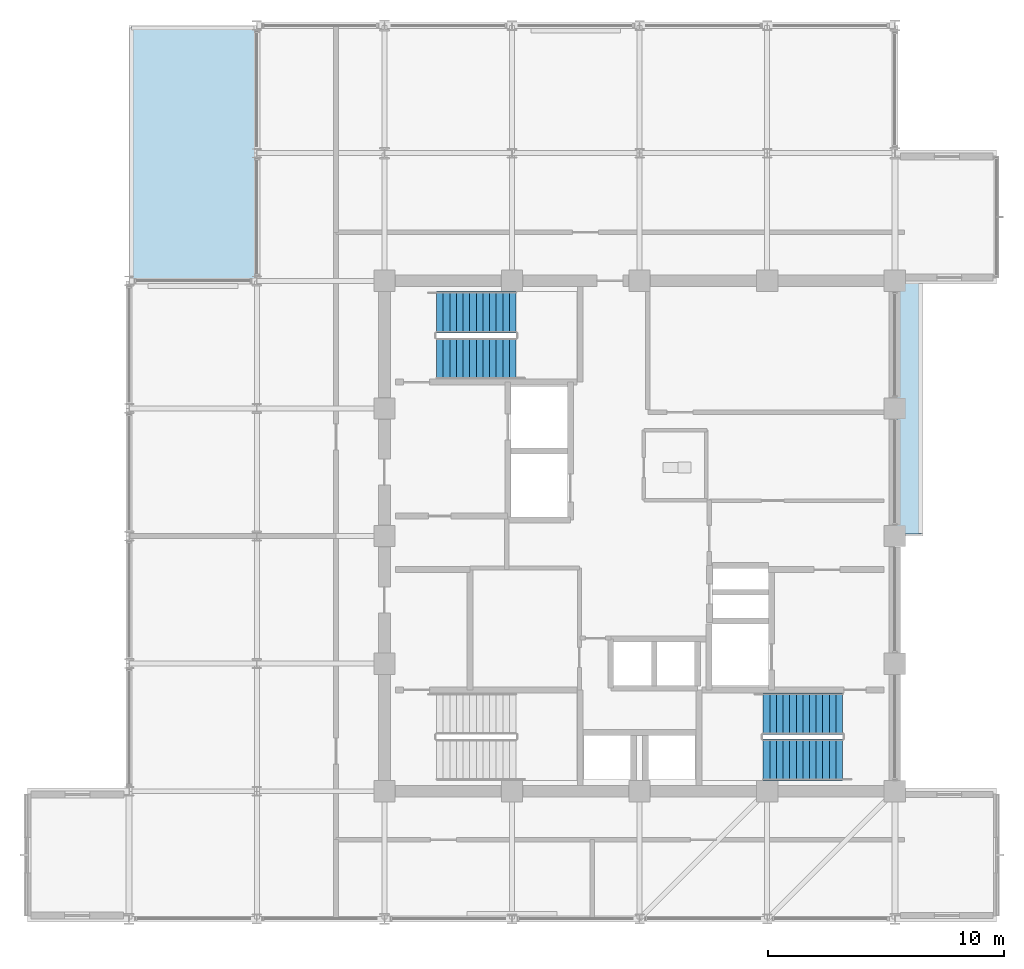
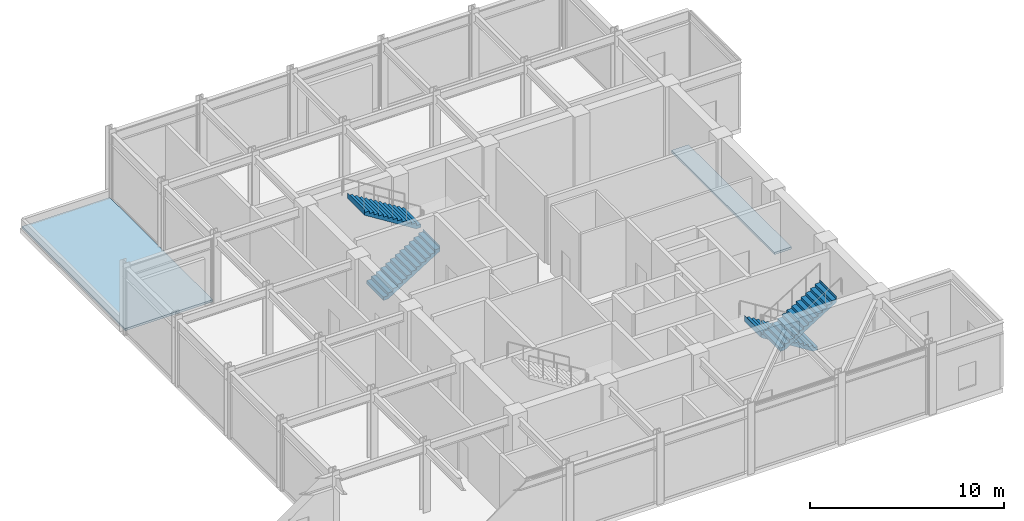
# One storey, part 18 of 22: 4 stair flights, 2 roofs, 2 elements without a shape of their own.
"""IFC4 building model written with IfcOpenShell, lengths in metres."""

from ifc_helpers import new_model, si_unit, direction, frame, origin, place, context, subcontext, project, spatial, polyline, outline, extrude, material, layer, layer_set, type_object, element, aggregate, save


model = new_model("IFC4")

# Units and contexts
model_context = context("Model", 3, precision=1e-05, world=origin(), true_north=direction((0.0, 1.0)))
body_context = subcontext(model_context, "Body", "Model", "MODEL_VIEW")
ifc_project = project(units=[si_unit("LENGTHUNIT", "METRE"), si_unit("AREAUNIT", "SQUARE_METRE"), si_unit("VOLUMEUNIT", "CUBIC_METRE"), si_unit("PLANEANGLEUNIT", "RADIAN"), si_unit("MASSUNIT", "GRAM", prefix="KILO")], contexts=[model_context])

# Site, building, storey
site_placement = place(None, origin())
site = spatial("IfcSite", under=ifc_project, at=site_placement, CompositionType="ELEMENT")
building_placement = place(site_placement, origin())
building = spatial("IfcBuilding", under=site, at=building_placement, Name="Surkhivell Harbour Commons", CompositionType="ELEMENT")
storey_placement = place(building_placement, frame((0.0, 0.0, 342.0)))
storey = spatial("IfcBuildingStorey", under=building, at=storey_placement, Name="L89", CompositionType="ELEMENT", Elevation=342.0)

# Stair, stair flights
ifc_material_1 = material(Name="Precast concrete C45/55", Category="concrete")
stair_type = type_object("IfcStairType", Name="STR-DL-450", PredefinedType="HALF_TURN_STAIR", material=ifc_material_1)
stair_1_placement = place(storey_placement, origin())
stair_1 = element("IfcStair", 1, at=stair_1_placement, inside=storey, type_object=stair_type, Name="L89 Core Exit Stair ST1", PredefinedType="HALF_TURN_STAIR")
stair_flight_type = type_object("IfcStairFlightType", Name="STF-DL-450", PredefinedType="STRAIGHT", material=ifc_material_1)
stair_flight_1_placement = place(storey_placement, frame((-8.590087890625, 7.514892578125, 0.0), z_axis=(0.0, 0.0, 1.0), x_axis=(1.0, 0.0, 0.0)))
stair_flight_1 = element("IfcStairFlight", 2, at=stair_flight_1_placement, type_object=stair_flight_type, Name="ST1 flight 1", NumberOfRisers=13, NumberOfTreads=12, PredefinedType="STRAIGHT", RiserHeight=0.173076923, TreadLength=0.28, context=body_context, shape_type="SweptSolid", body=[
    extrude(outline(polyline([(-0.0029296875, -0.034912109375), (-0.0029296875, 0.0), (0.0, 0.0), (0.0, 0.173095703125), (0.280029296875, 0.173095703125), (0.280029296875, 0.34619140625), (0.56005859375, 0.34619140625), (0.56005859375, 0.519287109375), (0.840087890625, 0.519287109375), (0.840087890625, 0.6923828125), (1.1201171875, 0.6923828125), (1.1201171875, 0.865478515625), (1.39990234375, 0.865478515625), (1.39990234375, 1.03857421875), (1.679931640625, 1.03857421875), (1.679931640625, 1.21142578125), (1.9599609375, 1.21142578125), (1.9599609375, 1.384521484375), (2.239990234375, 1.384521484375), (2.239990234375, 1.5576171875), (2.52001953125, 1.5576171875), (2.52001953125, 1.730712890625), (2.800048828125, 1.730712890625), (2.800048828125, 1.90380859375), (3.080078125, 1.90380859375), (3.080078125, 2.076904296875), (3.360107421875, 2.076904296875), (3.360107421875, 2.25), (3.363037109375, 2.25), (3.363037109375, 1.900634765625), (0.28515625, -0.034912109375), (-0.0029296875, -0.034912109375)])), frame((0.0, 0.875, 0.0), z_axis=(0.0, -1.0, 0.0), x_axis=(1.0, 0.0, 0.0)), (0.0, 0.0, 1.0), 1.75),
])
stair_flight_2_placement = place(storey_placement, frame((-5.22998046875, 9.465087890625, 2.25), z_axis=(0.0, 0.0, 1.0), x_axis=(-1.0, 0.0, 0.0)))
stair_flight_2 = element("IfcStairFlight", 3, at=stair_flight_2_placement, type_object=stair_flight_type, Name="ST1 flight 2", NumberOfRisers=13, NumberOfTreads=12, PredefinedType="STRAIGHT", RiserHeight=0.173076923, TreadLength=0.28, context=body_context, shape_type="SweptSolid", body=[
    extrude(outline(polyline([(-0.0029296875, -0.034912109375), (-0.0029296875, 0.0), (0.0, 0.0), (0.0, 0.173095703125), (0.280029296875, 0.173095703125), (0.280029296875, 0.34619140625), (0.56005859375, 0.34619140625), (0.56005859375, 0.519287109375), (0.840087890625, 0.519287109375), (0.840087890625, 0.6923828125), (1.1201171875, 0.6923828125), (1.1201171875, 0.865478515625), (1.39990234375, 0.865478515625), (1.39990234375, 1.03857421875), (1.679931640625, 1.03857421875), (1.679931640625, 1.21142578125), (1.9599609375, 1.21142578125), (1.9599609375, 1.384521484375), (2.239990234375, 1.384521484375), (2.239990234375, 1.5576171875), (2.52001953125, 1.5576171875), (2.52001953125, 1.730712890625), (2.800048828125, 1.730712890625), (2.800048828125, 1.90380859375), (3.080078125, 1.90380859375), (3.080078125, 2.076904296875), (3.360107421875, 2.076904296875), (3.360107421875, 2.25), (3.363037109375, 2.25), (3.363037109375, 1.900634765625), (0.28515625, -0.034912109375), (-0.0029296875, -0.034912109375)])), frame((0.0, 0.875, 0.0), z_axis=(0.0, -1.0, 0.0), x_axis=(1.0, 0.0, 0.0)), (0.0, 0.0, 1.0), 1.75),
])
aggregate(stair_1, [stair_flight_1, stair_flight_2])

stair_2_placement = place(storey_placement, origin())
stair_2 = element("IfcStair", 4, at=stair_2_placement, inside=storey, type_object=stair_type, Name="L89 Core Exit Stair ST2", PredefinedType="HALF_TURN_STAIR")
stair_flight_3_placement = place(storey_placement, frame((8.590087890625, -7.514892578125, 0.0), z_axis=(0.0, 0.0, 1.0), x_axis=(-1.0, 0.0, 0.0)))
stair_flight_3 = element("IfcStairFlight", 5, at=stair_flight_3_placement, type_object=stair_flight_type, Name="ST2 flight 1", NumberOfRisers=13, NumberOfTreads=12, PredefinedType="STRAIGHT", RiserHeight=0.173076923, TreadLength=0.28, context=body_context, shape_type="SweptSolid", body=[
    extrude(outline(polyline([(-0.0029296875, -0.034912109375), (-0.0029296875, 0.0), (0.0, 0.0), (0.0, 0.173095703125), (0.280029296875, 0.173095703125), (0.280029296875, 0.34619140625), (0.56005859375, 0.34619140625), (0.56005859375, 0.519287109375), (0.840087890625, 0.519287109375), (0.840087890625, 0.6923828125), (1.1201171875, 0.6923828125), (1.1201171875, 0.865478515625), (1.39990234375, 0.865478515625), (1.39990234375, 1.03857421875), (1.679931640625, 1.03857421875), (1.679931640625, 1.21142578125), (1.9599609375, 1.21142578125), (1.9599609375, 1.384521484375), (2.239990234375, 1.384521484375), (2.239990234375, 1.5576171875), (2.52001953125, 1.5576171875), (2.52001953125, 1.730712890625), (2.800048828125, 1.730712890625), (2.800048828125, 1.90380859375), (3.080078125, 1.90380859375), (3.080078125, 2.076904296875), (3.360107421875, 2.076904296875), (3.360107421875, 2.25), (3.363037109375, 2.25), (3.363037109375, 1.900634765625), (0.28515625, -0.034912109375), (-0.0029296875, -0.034912109375)])), frame((0.0, 0.875, 0.0), z_axis=(0.0, -1.0, 0.0), x_axis=(1.0, 0.0, 0.0)), (0.0, 0.0, 1.0), 1.75),
])
stair_flight_4_placement = place(storey_placement, frame((5.22998046875, -9.465087890625, 2.25), z_axis=(0.0, 0.0, 1.0), x_axis=(1.0, 0.0, 0.0)))
stair_flight_4 = element("IfcStairFlight", 6, at=stair_flight_4_placement, type_object=stair_flight_type, Name="ST2 flight 2", NumberOfRisers=13, NumberOfTreads=12, PredefinedType="STRAIGHT", RiserHeight=0.173076923, TreadLength=0.28, context=body_context, shape_type="SweptSolid", body=[
    extrude(outline(polyline([(-0.0029296875, -0.034912109375), (-0.0029296875, 0.0), (0.0, 0.0), (0.0, 0.173095703125), (0.280029296875, 0.173095703125), (0.280029296875, 0.34619140625), (0.56005859375, 0.34619140625), (0.56005859375, 0.519287109375), (0.840087890625, 0.519287109375), (0.840087890625, 0.6923828125), (1.1201171875, 0.6923828125), (1.1201171875, 0.865478515625), (1.39990234375, 0.865478515625), (1.39990234375, 1.03857421875), (1.679931640625, 1.03857421875), (1.679931640625, 1.21142578125), (1.9599609375, 1.21142578125), (1.9599609375, 1.384521484375), (2.239990234375, 1.384521484375), (2.239990234375, 1.5576171875), (2.52001953125, 1.5576171875), (2.52001953125, 1.730712890625), (2.800048828125, 1.730712890625), (2.800048828125, 1.90380859375), (3.080078125, 1.90380859375), (3.080078125, 2.076904296875), (3.360107421875, 2.076904296875), (3.360107421875, 2.25), (3.363037109375, 2.25), (3.363037109375, 1.900634765625), (0.28515625, -0.034912109375), (-0.0029296875, -0.034912109375)])), frame((0.0, 0.875, 0.0), z_axis=(0.0, -1.0, 0.0), x_axis=(1.0, 0.0, 0.0)), (0.0, 0.0, 1.0), 1.75),
])
aggregate(stair_2, [stair_flight_3, stair_flight_4])

# Roofs
ifc_material_2 = material(Name="Vermilion-coral and saffron enamelled aluminium box roof cap", Category="aluminium")
ifc_layer = layer(ifc_material_2, 0.139892578125)
ifc_layer_set = layer_set([ifc_layer], Name="Vermilion-coral and saffron enamelled aluminium box roof cap")
roof_type = type_object("IfcRoofType", Name="ROF-BOX-CAP", PredefinedType="FLAT_ROOF", material=ifc_layer_set)
roof_1_placement = place(storey_placement, origin())
element("IfcRoof", 7, at=roof_1_placement, inside=storey, type_object=roof_type, Name="L89 Closed Coloured Box Roof Cap 1-1", PredefinedType="FLAT_ROOF", context=body_context, shape_type="SweptSolid", body=[
    extrude(outline(polyline([(-21.52001953125, 10.89990234375), (-16.300048828125, 10.89990234375), (-16.300048828125, 21.52001953125), (-21.52001953125, 21.52001953125), (-21.52001953125, 10.89990234375)])), origin(), (0.0, 0.0, 1.0), 0.139892578125),
])
roof_2_placement = place(storey_placement, origin())
element("IfcRoof", 8, at=roof_2_placement, inside=storey, type_object=roof_type, Name="L89 Closed Coloured Box Roof Cap 2-1", PredefinedType="FLAT_ROOF", context=body_context, shape_type="SweptSolid", body=[
    extrude(outline(polyline([(10.89990234375, 10.699951171875), (10.89990234375, 0.080078125), (11.919921875, 0.080078125), (11.919921875, 10.699951171875), (10.89990234375, 10.699951171875)])), origin(), (0.0, 0.0, 1.0), 0.139892578125),
])

save(model, "model.ifc")
